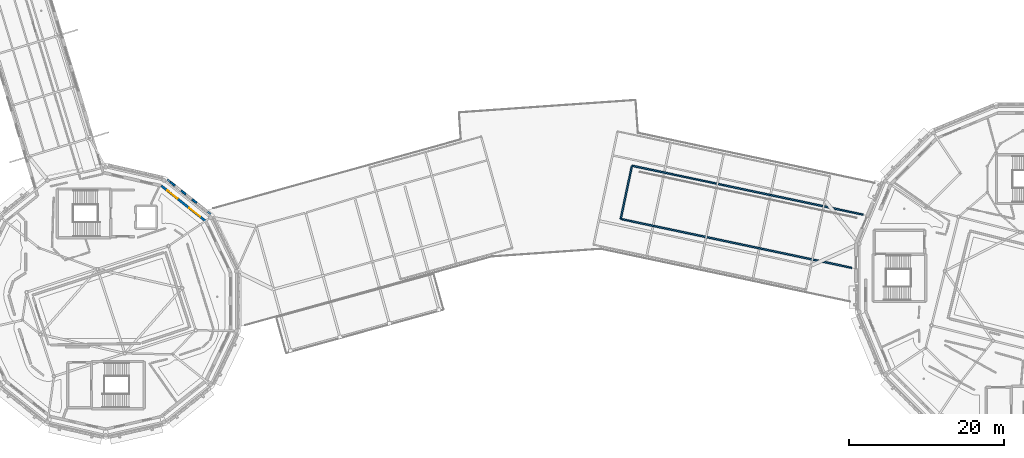
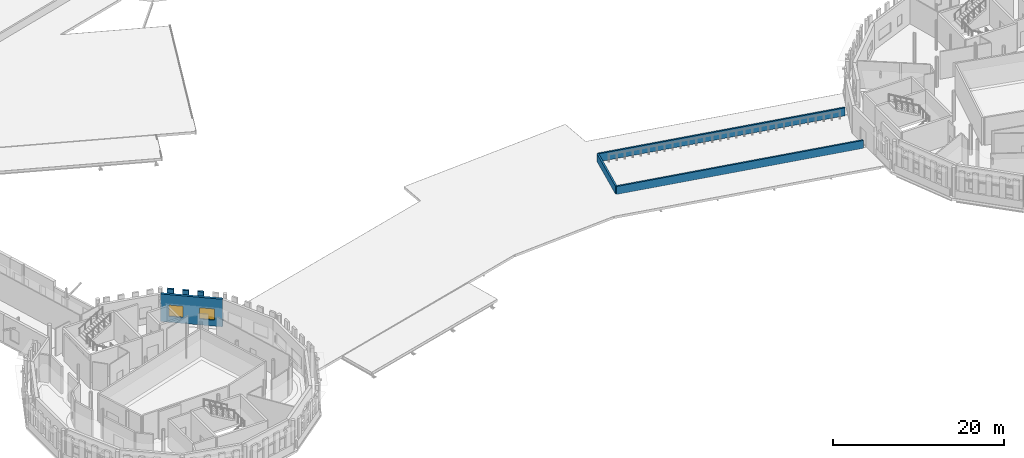
# One storey, part 55 of 90: 8 walls, 2 windows, 2 openings.
"""IFC4 building model written with IfcOpenShell, lengths in metres."""

from ifc_helpers import new_model, si_unit, direction, frame, frame_2d, origin, place, context, subcontext, project, spatial, rectangle, extrude, material, layer, layer_set, type_object, element, fill, save


model = new_model("IFC4")

# Units and contexts
model_context = context("Model", 3, precision=1e-05, world=origin(), true_north=direction((0.0, 1.0)))
body_context = subcontext(model_context, "Body", "Model", "MODEL_VIEW")
ifc_project = project(units=[si_unit("LENGTHUNIT", "METRE"), si_unit("AREAUNIT", "SQUARE_METRE"), si_unit("VOLUMEUNIT", "CUBIC_METRE"), si_unit("PLANEANGLEUNIT", "RADIAN"), si_unit("MASSUNIT", "GRAM", prefix="KILO")], contexts=[model_context])

# Site, building, storey
site_placement = place(None, origin())
site = spatial("IfcSite", under=ifc_project, at=site_placement, CompositionType="ELEMENT")
building_placement = place(site_placement, origin())
building = spatial("IfcBuilding", under=site, at=building_placement, Name="Wrenclough Park School", CompositionType="ELEMENT")
storey_placement = place(building_placement, frame((0.0, 0.0, 8.39990234375)))
storey = spatial("IfcBuildingStorey", under=building, at=storey_placement, Name="L02", CompositionType="ELEMENT", Elevation=8.39990234375)

# Walls
ifc_material_1 = material(Name="Perforated open-bond Staffordshire and Manchester brick screen pier", Category="masonry")
ifc_layer_1 = layer(ifc_material_1, 0.2451171875)
ifc_layer_set_1 = layer_set([ifc_layer_1], Name="Perforated open-bond Staffordshire and Manchester brick screen pier")
wall_type_1 = type_object("IfcWallType", Name="ENV-BS-PR245", PredefinedType="ELEMENTEDWALL", material=ifc_layer_set_1)
for number, where, z_axis, x_axis, name in (
    (1, (48.19970703125, 36.1357421875, 1.090087890625), (0.0, 0.0, 1.0), (-0.781819359776, 0.623505002931, 0.0), "D2 L02 perforated brick screen pier 0459"),
    (2, (46.802734375, 37.25, 1.090087890625), (0.0, 0.0, 1.0), (-0.781819359776, 0.623505002931, 0.0), "D2 L02 perforated brick screen pier 0460"),
    (3, (45.405517578125, 38.3642578125, 1.090087890625), (0.0, 0.0, 1.0), (-0.781819359776, 0.623505002931, 0.0), "D2 L02 perforated brick screen pier 0461"),
):
    element("IfcWall", number, at=place(storey_placement, frame(where, z_axis=z_axis, x_axis=x_axis)), inside=storey, type_object=wall_type_1, Name=name, PredefinedType="ELEMENTEDWALL", context=body_context, shape_type="SweptSolid", body=[
        extrude(rectangle(XDim=0.7509765625, YDim=0.2451171875, at=frame_2d((0.37548828125, 0.0))), origin(), (0.0, 0.0, 1.0), 2.85009765625),
    ])
ifc_material_2 = material(Name="Open-bond Manchester multi-stock brick spandrel screen", Category="masonry")
ifc_layer_2 = layer(ifc_material_2, 0.22509765625)
ifc_layer_set_2 = layer_set([ifc_layer_2], Name="Open-bond Manchester multi-stock brick spandrel screen")
wall_type_2 = type_object("IfcWallType", Name="ENV-BS-SP225", PredefinedType="ELEMENTEDWALL", material=ifc_layer_set_2)
wall_1_placement = place(storey_placement, frame((50.001953125, 34.69873046875, 0.0), z_axis=(0.0, 0.0, 1.0), x_axis=(-0.781830872194, 0.623490567118, 0.0)))
element("IfcWall", 4, at=wall_1_placement, inside=storey, type_object=wall_type_2, Name="D2 L02 open-bond brick screen spandrel 0125", PredefinedType="ELEMENTEDWALL", context=body_context, shape_type="SweptSolid", body=[
    extrude(rectangle(XDim=7.148193359375, YDim=0.22509765625, at=frame_2d((3.57421875, 0.0))), origin(), (0.0, 0.0, 1.0), 1.090087890625),
])

# Wall, openings, windows
ifc_material_3 = material(Name="Manchester multi-stock brick and Concrete C32/40 inner leaf", Category="masonry")
ifc_layer_3 = layer(ifc_material_3, 0.300048828125)
ifc_layer_set_3 = layer_set([ifc_layer_3], Name="Manchester multi-stock brick and Concrete C32/40 inner leaf")
wall_type_3 = type_object("IfcWallType", Name="ENV-EW-300", PredefinedType="SOLIDWALL", material=ifc_layer_set_3)
wall_2_placement = place(storey_placement, frame((43.649169921875, 38.34521484375, 0.0), z_axis=(0.0, 0.0, 1.0), x_axis=(0.781819636461, -0.623504655992, 0.0)))
wall_2 = element("IfcWall", 5, at=wall_2_placement, inside=storey, type_object=wall_type_3, Name="L02 insulated brick external wall 0248", PredefinedType="SOLIDWALL", context=body_context, shape_type="SweptSolid", body=[
    extrude(rectangle(XDim=7.332763671875, YDim=0.300048828125, at=frame_2d((3.66650390625, 0.0))), origin(), (0.0, 0.0, 1.0), 3.940185546875),
])
opening_1_placement = place(wall_2_placement, frame((1.00830078125, 0.0, 0.85009765625)))
opening_1 = element("IfcOpeningElement", 6, at=opening_1_placement, cuts=wall_2, Name="Opening WN-18", PredefinedType="OPENING", context=body_context, shape_type="SweptSolid", body=[
    extrude(rectangle(XDim=1.64990234375, YDim=1.60009765625, at=frame_2d((0.824951171875, 0.800048828125))), frame((0.0, 0.159912109375, 0.0), z_axis=(0.0, -1.0, 0.0), x_axis=(1.0, 0.0, 0.0)), (0.0, 0.0, 1.0), 0.320068359375),
])
opening_2_placement = place(wall_2_placement, frame((4.599609375, 0.0, 0.85009765625)))
opening_2 = element("IfcOpeningElement", 7, at=opening_2_placement, cuts=wall_2, Name="Opening WN-19", PredefinedType="OPENING", context=body_context, shape_type="SweptSolid", body=[
    extrude(rectangle(XDim=1.800048828125, YDim=1.60009765625, at=frame_2d((0.89990234375, 0.800048828125))), frame((0.0, 0.159912109375, 0.0), z_axis=(0.0, -1.0, 0.0), x_axis=(1.0, 0.0, 0.0)), (0.0, 0.0, 1.0), 0.320068359375),
])
ifc_material_4 = material(Name="Thermally broken aluminium and double-glazed low-e glass", Category="aluminium")
window_type_1 = type_object("IfcWindowType", Name="ENV-WN-18", PartitioningType="DOUBLE_PANEL_VERTICAL", PredefinedType="WINDOW", material=ifc_material_4)
window_1_placement = place(opening_1_placement, origin())
window_1 = element("IfcWindow", 8, at=window_1_placement, inside=storey, type_object=window_type_1, Name="L02 scheduled facade window 0409", OverallHeight=1.60009765625, OverallWidth=1.64990234375, PartitioningType="SINGLE_PANEL", PredefinedType="WINDOW", context=body_context, shape_type="SweptSolid", body=[
    extrude(rectangle(XDim=1.64990234375, YDim=1.60009765625, at=frame_2d((0.824951171875, 0.800048828125))), frame((0.0, 0.030029296875, 0.0), z_axis=(0.0, -1.0, 0.0), x_axis=(1.0, 0.0, 0.0)), (0.0, 0.0, 1.0), 0.06005859375),
])
fill(opening_1, window_1)
window_type_2 = type_object("IfcWindowType", Name="ENV-WN-19", PartitioningType="DOUBLE_PANEL_VERTICAL", PredefinedType="WINDOW", material=ifc_material_4)
window_2_placement = place(opening_2_placement, origin())
window_2 = element("IfcWindow", 9, at=window_2_placement, inside=storey, type_object=window_type_2, Name="L02 scheduled facade window 0410", OverallHeight=1.60009765625, OverallWidth=1.800048828125, PartitioningType="SINGLE_PANEL", PredefinedType="WINDOW", context=body_context, shape_type="SweptSolid", body=[
    extrude(rectangle(XDim=1.800048828125, YDim=1.60009765625, at=frame_2d((0.89990234375, 0.800048828125))), frame((0.0, 0.030029296875, 0.0), z_axis=(0.0, -1.0, 0.0), x_axis=(1.0, 0.0, 0.0)), (0.0, 0.0, 1.0), 0.06005859375),
])
fill(opening_2, window_2)

# Walls
ifc_material_5 = material(Name="Capped Staffordshire blue-grey brick parapet", Category="masonry")
ifc_layer_4 = layer(ifc_material_5, 0.215087890625)
ifc_layer_set_4 = layer_set([ifc_layer_4], Name="Capped Staffordshire blue-grey brick parapet")
wall_type_4 = type_object("IfcWallType", Name="ENV-PW-215", PredefinedType="PARAPET", material=ifc_layer_set_4)
wall_3_placement = place(storey_placement, frame((102.775634765625, 34.07568359375, 0.0), z_axis=(0.0, 0.0, 1.0), x_axis=(0.978349796917, -0.206958147633, 0.0)))
element("IfcWall", 10, at=wall_3_placement, inside=storey, type_object=wall_type_4, Name="Play deck PD-1 dividing parapet wall 001", PredefinedType="PARAPET", context=body_context, shape_type="SweptSolid", body=[
    extrude(rectangle(XDim=30.404541015625, YDim=0.215087890625, at=frame_2d((15.2021484375, 0.0))), origin(), (0.0, 0.0, 1.0), 1.150146484375),
])
wall_4_placement = place(storey_placement, frame((133.994873046875, 34.626708984375, 0.0), z_axis=(0.0, 0.0, 1.0), x_axis=(-0.978349703119, 0.206958591044, 0.0)))
element("IfcWall", 11, at=wall_4_placement, inside=storey, type_object=wall_type_4, Name="Play deck PD-1 dividing parapet wall 002", PredefinedType="PARAPET", context=body_context, shape_type="SweptSolid", body=[
    extrude(rectangle(XDim=30.42919921875, YDim=0.215087890625, at=frame_2d((15.214599609375, 0.0))), origin(), (0.0, 0.0, 1.0), 1.150146484375),
])
wall_5_placement = place(storey_placement, frame((104.224365234375, 40.92431640625, 0.0), z_axis=(0.0, 0.0, 1.0), x_axis=(-0.20695602316, -0.978350246322, 0.0)))
element("IfcWall", 12, at=wall_5_placement, inside=storey, type_object=wall_type_4, Name="Play deck PD-1 dividing parapet wall 003", PredefinedType="PARAPET", context=body_context, shape_type="SweptSolid", body=[
    extrude(rectangle(XDim=7.000244140625, YDim=0.215087890625, at=frame_2d((3.5, 0.0))), origin(), (0.0, 0.0, 1.0), 1.150146484375),
])

save(model, "model.ifc")
